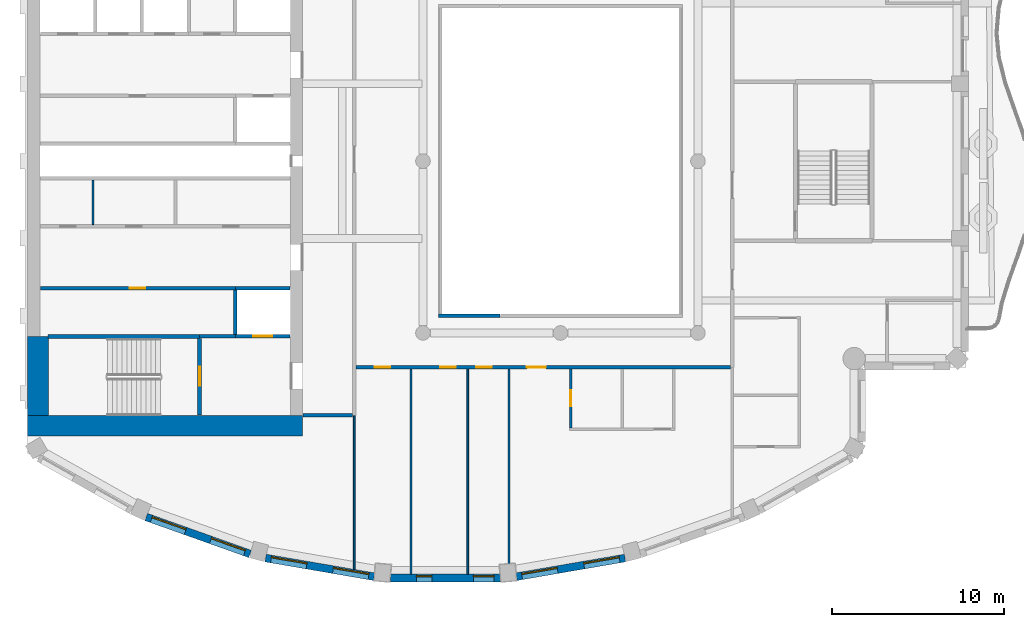
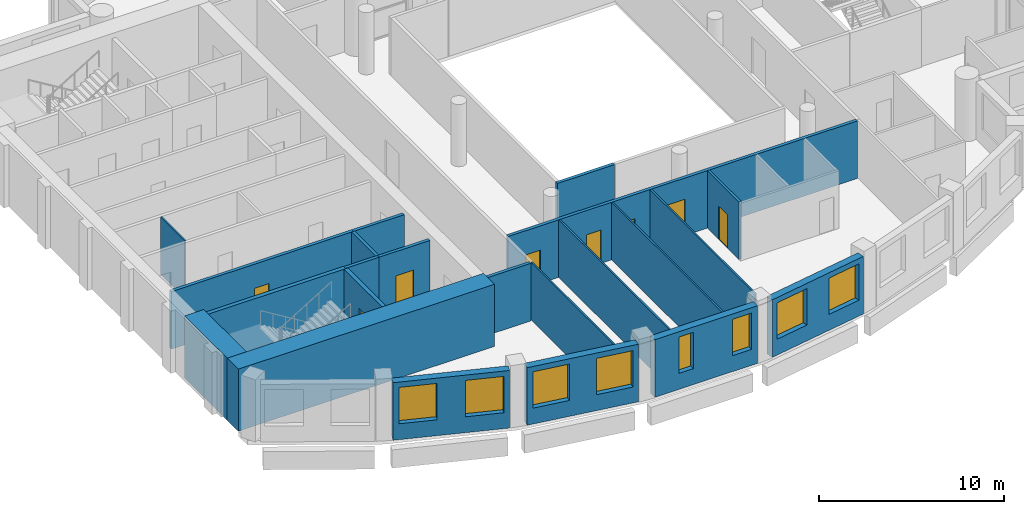
# One storey, part 4 of 14: 22 walls, 8 doors, 8 windows, 16 openings.
"""IFC4 building model written with IfcOpenShell, lengths in metres."""

from ifc_helpers import new_model, si_unit, direction, frame, frame_2d, origin, place, context, subcontext, project, spatial, rectangle, extrude, material, layer, layer_set, type_object, element, fill, save


model = new_model("IFC4")

# Units and contexts
model_context = context("Model", 3, precision=1e-05, world=origin(), true_north=direction((0.0, 1.0)))
body_context = subcontext(model_context, "Body", "Model", "MODEL_VIEW")
ifc_project = project(units=[si_unit("LENGTHUNIT", "METRE"), si_unit("AREAUNIT", "SQUARE_METRE"), si_unit("VOLUMEUNIT", "CUBIC_METRE"), si_unit("PLANEANGLEUNIT", "RADIAN"), si_unit("MASSUNIT", "GRAM", prefix="KILO")], contexts=[model_context])

# Site, building, storey
site_placement = place(None, origin())
site = spatial("IfcSite", under=ifc_project, at=site_placement, CompositionType="ELEMENT")
building_placement = place(site_placement, origin())
building = spatial("IfcBuilding", under=site, at=building_placement, Name="Cypress Arch Tower", CompositionType="ELEMENT")
storey_placement = place(building_placement, frame((0.0, 0.0, 284.39990234375)))
storey = spatial("IfcBuildingStorey", under=building, at=storey_placement, Name="L64", CompositionType="ELEMENT", Elevation=284.39990234375)

# Wall, openings, windows
ifc_material_1 = material(Name="Brick (red buff blend)", Category="masonry")
ifc_layer_1 = layer(ifc_material_1, 0.449951171875)
ifc_layer_set_1 = layer_set([ifc_layer_1], Name="Brick pier and spandrel wall BW450")
wall_type_1 = type_object("IfcWallType", Name="Brick pier and spandrel wall BW450", PredefinedType="SOLIDWALL", material=ifc_layer_set_1)
wall_1_placement = place(storey_placement, frame((-23.10498046875, -20.70947265625, 0.0), z_axis=(0.0, 0.0, 1.0), x_axis=(0.942104058931, -0.335320655711, 0.0)))
wall_1 = element("IfcWall", 1, at=wall_1_placement, inside=storey, type_object=wall_type_1, Name="Brick wall L64 C09.0", PredefinedType="SOLIDWALL", context=body_context, shape_type="SweptSolid", body=[
    extrude(rectangle(XDim=6.411376953125, YDim=0.449951171875, at=frame_2d((3.20556640625, 0.0))), origin(), (0.0, 0.0, 1.0), 3.800048828125),
])
opening_1_placement = place(wall_1_placement, frame((0.3271484375, 0.0, 1.050048828125)))
opening_1 = element("IfcOpeningElement", 2, at=opening_1_placement, cuts=wall_1, Name="Opening W210O", PredefinedType="OPENING", context=body_context, shape_type="SweptSolid", body=[
    extrude(rectangle(XDim=2.10009765625, YDim=2.39990234375, at=frame_2d((1.050048828125, 1.199951171875))), frame((0.0, 0.23486328125, 0.0), z_axis=(0.0, -1.0, 0.0), x_axis=(1.0, 0.0, 0.0)), (0.0, 0.0, 1.0), 0.469970703125),
])
opening_2_placement = place(wall_1_placement, frame((3.984619140625, 0.0, 1.050048828125)))
opening_2 = element("IfcOpeningElement", 3, at=opening_2_placement, cuts=wall_1, Name="Opening W210O", PredefinedType="OPENING", context=body_context, shape_type="SweptSolid", body=[
    extrude(rectangle(XDim=2.10009765625, YDim=2.39990234375, at=frame_2d((1.050048828125, 1.199951171875))), frame((0.0, 0.23486328125, 0.0), z_axis=(0.0, -1.0, 0.0), x_axis=(1.0, 0.0, 0.0)), (0.0, 0.0, 1.0), 0.469970703125),
])
ifc_material_2 = material(Name="Anodised aluminium, bronze finish, clear low-emissivity double glazing", Category="aluminium")
window_type_1 = type_object("IfcWindowType", Name="Window Office 2100x2400", PartitioningType="SINGLE_PANEL", PredefinedType="WINDOW", material=ifc_material_2)
window_1_placement = place(opening_1_placement, origin())
window_1 = element("IfcWindow", 4, at=window_1_placement, inside=storey, type_object=window_type_1, Name="Window L64 C09.0.1", OverallHeight=2.39990234375, OverallWidth=2.10009765625, PartitioningType="SINGLE_PANEL", PredefinedType="WINDOW", context=body_context, shape_type="SweptSolid", body=[
    extrude(rectangle(XDim=2.10009765625, YDim=2.39990234375, at=frame_2d((1.050048828125, 1.199951171875))), frame((0.0, 0.135009765625, 0.0), z_axis=(0.0, -1.0, 0.0), x_axis=(1.0, 0.0, 0.0)), (0.0, 0.0, 1.0), 0.06005859375),
])
fill(opening_1, window_1)
window_2_placement = place(opening_2_placement, origin())
window_2 = element("IfcWindow", 5, at=window_2_placement, inside=storey, type_object=window_type_1, Name="Window L64 C09.0.2", OverallHeight=2.39990234375, OverallWidth=2.10009765625, PartitioningType="SINGLE_PANEL", PredefinedType="WINDOW", context=body_context, shape_type="SweptSolid", body=[
    extrude(rectangle(XDim=2.10009765625, YDim=2.39990234375, at=frame_2d((1.050048828125, 1.199951171875))), frame((0.0, 0.135009765625, 0.0), z_axis=(0.0, -1.0, 0.0), x_axis=(1.0, 0.0, 0.0)), (0.0, 0.0, 1.0), 0.06005859375),
])
fill(opening_2, window_2)

wall_2_placement = place(storey_placement, frame((-16.15673828125, -23.09716796875, 0.0), z_axis=(0.0, 0.0, 1.0), x_axis=(0.985502073964, -0.169663379113, 0.0)))
wall_2 = element("IfcWall", 6, at=wall_2_placement, inside=storey, type_object=wall_type_1, Name="Brick wall L64 C10.0", PredefinedType="SOLIDWALL", context=body_context, shape_type="SweptSolid", body=[
    extrude(rectangle(XDim=6.412109375, YDim=0.449951171875, at=frame_2d((3.2060546875, 0.0))), origin(), (0.0, 0.0, 1.0), 3.800048828125),
])
opening_3_placement = place(wall_2_placement, frame((0.3271484375, 0.0, 1.050048828125)))
opening_3 = element("IfcOpeningElement", 7, at=opening_3_placement, cuts=wall_2, Name="Opening W210O", PredefinedType="OPENING", context=body_context, shape_type="SweptSolid", body=[
    extrude(rectangle(XDim=2.10009765625, YDim=2.39990234375, at=frame_2d((1.050048828125, 1.199951171875))), frame((0.0, 0.23486328125, 0.0), z_axis=(0.0, -1.0, 0.0), x_axis=(1.0, 0.0, 0.0)), (0.0, 0.0, 1.0), 0.469970703125),
])
opening_4_placement = place(wall_2_placement, frame((3.98486328125, 0.0, 1.050048828125)))
opening_4 = element("IfcOpeningElement", 8, at=opening_4_placement, cuts=wall_2, Name="Opening W210O", PredefinedType="OPENING", context=body_context, shape_type="SweptSolid", body=[
    extrude(rectangle(XDim=2.10009765625, YDim=2.39990234375, at=frame_2d((1.050048828125, 1.199951171875))), frame((0.0, 0.23486328125, 0.0), z_axis=(0.0, -1.0, 0.0), x_axis=(1.0, 0.0, 0.0)), (0.0, 0.0, 1.0), 0.469970703125),
])
window_3_placement = place(opening_3_placement, origin())
window_3 = element("IfcWindow", 9, at=window_3_placement, inside=storey, type_object=window_type_1, Name="Window L64 C10.0.1", OverallHeight=2.39990234375, OverallWidth=2.10009765625, PartitioningType="SINGLE_PANEL", PredefinedType="WINDOW", context=body_context, shape_type="SweptSolid", body=[
    extrude(rectangle(XDim=2.10009765625, YDim=2.39990234375, at=frame_2d((1.050048828125, 1.199951171875))), frame((0.0, 0.135009765625, 0.0), z_axis=(0.0, -1.0, 0.0), x_axis=(1.0, 0.0, 0.0)), (0.0, 0.0, 1.0), 0.06005859375),
])
fill(opening_3, window_3)
window_4_placement = place(opening_4_placement, origin())
window_4 = element("IfcWindow", 10, at=window_4_placement, inside=storey, type_object=window_type_1, Name="Window L64 C10.0.2", OverallHeight=2.39990234375, OverallWidth=2.10009765625, PartitioningType="SINGLE_PANEL", PredefinedType="WINDOW", context=body_context, shape_type="SweptSolid", body=[
    extrude(rectangle(XDim=2.10009765625, YDim=2.39990234375, at=frame_2d((1.050048828125, 1.199951171875))), frame((0.0, 0.135009765625, 0.0), z_axis=(0.0, -1.0, 0.0), x_axis=(1.0, 0.0, 0.0)), (0.0, 0.0, 1.0), 0.06005859375),
])
fill(opening_4, window_4)

wall_3_placement = place(storey_placement, frame((-8.90283203125, -24.264892578125, 0.0), z_axis=(0.0, 0.0, 1.0), x_axis=(1.0, 0.0, 0.0)))
wall_3 = element("IfcWall", 11, at=wall_3_placement, inside=storey, type_object=wall_type_1, Name="Brick wall L64 C11.0", PredefinedType="SOLIDWALL", context=body_context, shape_type="SweptSolid", body=[
    extrude(rectangle(XDim=6.405517578125, YDim=0.449951171875, at=frame_2d((3.20263671875, 0.0))), origin(), (0.0, 0.0, 1.0), 3.800048828125),
])
opening_5_placement = place(wall_3_placement, frame((1.51416015625, 0.0, 1.050048828125)))
opening_5 = element("IfcOpeningElement", 12, at=opening_5_placement, cuts=wall_3, Name="Opening W090O", PredefinedType="OPENING", context=body_context, shape_type="SweptSolid", body=[
    extrude(rectangle(XDim=0.89990234375, YDim=2.39990234375, at=frame_2d((0.449951171875, 1.199951171875))), frame((0.0, 0.23486328125, 0.0), z_axis=(0.0, -1.0, 0.0), x_axis=(1.0, 0.0, 0.0)), (0.0, 0.0, 1.0), 0.469970703125),
])
opening_6_placement = place(wall_3_placement, frame((4.84130859375, 0.0, 1.050048828125)))
opening_6 = element("IfcOpeningElement", 13, at=opening_6_placement, cuts=wall_3, Name="Opening W120O", PredefinedType="OPENING", context=body_context, shape_type="SweptSolid", body=[
    extrude(rectangle(XDim=1.199951171875, YDim=2.39990234375, at=frame_2d((0.60009765625, 1.199951171875))), frame((0.0, 0.23486328125, 0.0), z_axis=(0.0, -1.0, 0.0), x_axis=(1.0, 0.0, 0.0)), (0.0, 0.0, 1.0), 0.469970703125),
])
ifc_material_3 = material(Name="Anodised aluminium, bronze finish, clear low-emissivity double glazing", Category="aluminium")
window_type_2 = type_object("IfcWindowType", Name="Window Office 1200x2400", PartitioningType="SINGLE_PANEL", PredefinedType="WINDOW", material=ifc_material_3)
window_5_placement = place(opening_6_placement, origin())
window_5 = element("IfcWindow", 14, at=window_5_placement, inside=storey, type_object=window_type_2, Name="Window L64 C11.0.2", OverallHeight=2.39990234375, OverallWidth=1.199951171875, PartitioningType="SINGLE_PANEL", PredefinedType="WINDOW", context=body_context, shape_type="SweptSolid", body=[
    extrude(rectangle(XDim=1.199951171875, YDim=2.39990234375, at=frame_2d((0.60009765625, 1.199951171875))), frame((0.0, 0.135009765625, 0.0), z_axis=(0.0, -1.0, 0.0), x_axis=(1.0, 0.0, 0.0)), (0.0, 0.0, 1.0), 0.06005859375),
])
fill(opening_6, window_5)
ifc_material_4 = material(Name="Anodised aluminium, bronze finish, clear low-emissivity double glazing", Category="aluminium")
window_type_3 = type_object("IfcWindowType", Name="Window Office 900x2400", PartitioningType="SINGLE_PANEL", PredefinedType="WINDOW", material=ifc_material_4)
window_6_placement = place(opening_5_placement, origin())
window_6 = element("IfcWindow", 15, at=window_6_placement, inside=storey, type_object=window_type_3, Name="Window L64 C11.0.1", OverallHeight=2.39990234375, OverallWidth=0.89990234375, PartitioningType="SINGLE_PANEL", PredefinedType="WINDOW", context=body_context, shape_type="SweptSolid", body=[
    extrude(rectangle(XDim=0.89990234375, YDim=2.39990234375, at=frame_2d((0.449951171875, 1.199951171875))), frame((0.0, 0.135009765625, 0.0), z_axis=(0.0, -1.0, 0.0), x_axis=(1.0, 0.0, 0.0)), (0.0, 0.0, 1.0), 0.06005859375),
])
fill(opening_5, window_6)

wall_4_placement = place(storey_placement, frame((-1.562255859375, -24.18505859375, 0.0), z_axis=(0.0, 0.0, 1.0), x_axis=(0.985502073964, 0.169663379113, 0.0)))
wall_4 = element("IfcWall", 16, at=wall_4_placement, inside=storey, type_object=wall_type_1, Name="Brick wall L64 C12.0", PredefinedType="SOLIDWALL", context=body_context, shape_type="SweptSolid", body=[
    extrude(rectangle(XDim=6.412109375, YDim=0.449951171875, at=frame_2d((3.2060546875, 0.0))), origin(), (0.0, 0.0, 1.0), 3.800048828125),
])
opening_7_placement = place(wall_4_placement, frame((0.3271484375, 0.0, 1.050048828125)))
opening_7 = element("IfcOpeningElement", 17, at=opening_7_placement, cuts=wall_4, Name="Opening W210O", PredefinedType="OPENING", context=body_context, shape_type="SweptSolid", body=[
    extrude(rectangle(XDim=2.10009765625, YDim=2.39990234375, at=frame_2d((1.050048828125, 1.199951171875))), frame((0.0, 0.23486328125, 0.0), z_axis=(0.0, -1.0, 0.0), x_axis=(1.0, 0.0, 0.0)), (0.0, 0.0, 1.0), 0.469970703125),
])
opening_8_placement = place(wall_4_placement, frame((3.98486328125, 0.0, 1.050048828125)))
opening_8 = element("IfcOpeningElement", 18, at=opening_8_placement, cuts=wall_4, Name="Opening W210O", PredefinedType="OPENING", context=body_context, shape_type="SweptSolid", body=[
    extrude(rectangle(XDim=2.10009765625, YDim=2.39990234375, at=frame_2d((1.050048828125, 1.199951171875))), frame((0.0, 0.23486328125, 0.0), z_axis=(0.0, -1.0, 0.0), x_axis=(1.0, 0.0, 0.0)), (0.0, 0.0, 1.0), 0.469970703125),
])
window_7_placement = place(opening_7_placement, origin())
window_7 = element("IfcWindow", 19, at=window_7_placement, inside=storey, type_object=window_type_1, Name="Window L64 C12.0.1", OverallHeight=2.39990234375, OverallWidth=2.10009765625, PartitioningType="SINGLE_PANEL", PredefinedType="WINDOW", context=body_context, shape_type="SweptSolid", body=[
    extrude(rectangle(XDim=2.10009765625, YDim=2.39990234375, at=frame_2d((1.050048828125, 1.199951171875))), frame((0.0, 0.135009765625, 0.0), z_axis=(0.0, -1.0, 0.0), x_axis=(1.0, 0.0, 0.0)), (0.0, 0.0, 1.0), 0.06005859375),
])
fill(opening_7, window_7)
window_8_placement = place(opening_8_placement, origin())
window_8 = element("IfcWindow", 20, at=window_8_placement, inside=storey, type_object=window_type_1, Name="Window L64 C12.0.2", OverallHeight=2.39990234375, OverallWidth=2.10009765625, PartitioningType="SINGLE_PANEL", PredefinedType="WINDOW", context=body_context, shape_type="SweptSolid", body=[
    extrude(rectangle(XDim=2.10009765625, YDim=2.39990234375, at=frame_2d((1.050048828125, 1.199951171875))), frame((0.0, 0.135009765625, 0.0), z_axis=(0.0, -1.0, 0.0), x_axis=(1.0, 0.0, 0.0)), (0.0, 0.0, 1.0), 0.06005859375),
])
fill(opening_8, window_8)

# Walls
ifc_material_5 = material(Name="Concrete C60/75", Category="concrete")
ifc_layer_2 = layer(ifc_material_5, 1.199951171875)
ifc_layer_set_2 = layer_set([ifc_layer_2], Name="Core wall CW1200 C60/75")
wall_type_2 = type_object("IfcWallType", Name="Core wall CW1200 C60/75", PredefinedType="SHEAR", material=ifc_layer_set_2)
wall_5_placement = place(storey_placement, frame((-30.0, -15.39990234375, 0.0), z_axis=(0.0, 0.0, 1.0), x_axis=(1.0, 0.0, 0.0)))
element("IfcWall", 21, at=wall_5_placement, inside=storey, type_object=wall_type_2, Name="Core wall", PredefinedType="SHEAR", context=body_context, shape_type="SweptSolid", body=[
    extrude(rectangle(XDim=16.0, YDim=1.199951171875, at=frame_2d((8.0, 0.0))), origin(), (0.0, 0.0, 1.0), 4.10009765625),
])
wall_6_placement = place(storey_placement, frame((-29.39990234375, -14.800048828125, 0.0), z_axis=(0.0, 0.0, 1.0), x_axis=(0.0, 1.0, 0.0)))
element("IfcWall", 22, at=wall_6_placement, inside=storey, type_object=wall_type_2, Name="Core wall", PredefinedType="SHEAR", context=body_context, shape_type="SweptSolid", body=[
    extrude(rectangle(XDim=4.60009765625, YDim=1.199951171875, at=frame_2d((2.300048828125, 0.0))), origin(), (0.0, 0.0, 1.0), 4.10009765625),
])

# Wall, opening, door
ifc_material_6 = material(Name="Concrete blockwork, plastered, rated", Category="masonry")
ifc_layer_3 = layer(ifc_material_6, 0.199951171875)
ifc_layer_set_3 = layer_set([ifc_layer_3], Name="Corridor wall FW200")
wall_type_3 = type_object("IfcWallType", Name="Corridor wall FW200", PredefinedType="PARTITIONING", material=ifc_layer_set_3)
wall_7_placement = place(storey_placement, frame((-29.27001953125, -7.39990234375, 0.0), z_axis=(0.0, 0.0, 1.0), x_axis=(1.0, 0.0, 0.0)))
wall_7 = element("IfcWall", 23, at=wall_7_placement, inside=storey, type_object=wall_type_3, Name="Corridor wall", PredefinedType="PARTITIONING", context=body_context, shape_type="SweptSolid", body=[
    extrude(rectangle(XDim=11.3701171875, YDim=0.199951171875, at=frame_2d((5.68505859375, 0.0))), origin(), (0.0, 0.0, 1.0), 3.800048828125),
])
opening_9_placement = place(wall_7_placement, frame((5.199951171875, 0.0, 0.0)))
opening_9 = element("IfcOpeningElement", 24, at=opening_9_placement, cuts=wall_7, Name="Opening D05", PredefinedType="OPENING", context=body_context, shape_type="SweptSolid", body=[
    extrude(rectangle(XDim=0.89990234375, YDim=2.199951171875, at=frame_2d((0.449951171875, 1.10009765625))), frame((0.0, 0.10986328125, 0.0), z_axis=(0.0, -1.0, 0.0), x_axis=(1.0, 0.0, 0.0)), (0.0, 0.0, 1.0), 0.219970703125),
])
ifc_material_7 = material(Name="Timber flush door", Category="wood")
door_type_1 = type_object("IfcDoorType", Name="Service door D05 900x2200", OperationType="SINGLE_SWING_LEFT", PredefinedType="DOOR", material=ifc_material_7)
door_1_placement = place(opening_9_placement, origin())
door_1 = element("IfcDoor", 25, at=door_1_placement, inside=storey, type_object=door_type_1, Name="Service door", OperationType="SINGLE_SWING_RIGHT", OverallHeight=2.199951171875, OverallWidth=0.89990234375, PredefinedType="DOOR", context=body_context, shape_type="SweptSolid", body=[
    extrude(rectangle(XDim=0.89990234375, YDim=2.199951171875, at=frame_2d((0.449951171875, 1.10009765625))), frame((0.0, 0.02490234375, 0.0), z_axis=(0.0, -1.0, 0.0), x_axis=(1.0, 0.0, 0.0)), (0.0, 0.0, 1.0), 0.050048828125),
])
fill(opening_9, door_1)

# Walls
wall_8_placement = place(storey_placement, frame((-20.0, -10.199951171875, 0.0), z_axis=(0.0, 0.0, 1.0), x_axis=(1.0, 0.0, 0.0)))
element("IfcWall", 26, at=wall_8_placement, inside=storey, type_object=wall_type_3, Name="Corridor wall", PredefinedType="PARTITIONING", context=body_context, shape_type="SweptSolid", body=[
    extrude(rectangle(XDim=2.080078125, YDim=0.199951171875, at=frame_2d((1.0400390625, 0.0))), origin(), (0.0, 0.0, 1.0), 3.800048828125),
])
wall_9_placement = place(storey_placement, frame((-13.969970703125, -14.800048828125, 0.0), z_axis=(0.0, 0.0, 1.0), x_axis=(1.0, 0.0, 0.0)))
element("IfcWall", 27, at=wall_9_placement, inside=storey, type_object=wall_type_3, Name="Corridor wall", PredefinedType="PARTITIONING", context=body_context, shape_type="SweptSolid", body=[
    extrude(rectangle(XDim=2.869873046875, YDim=0.199951171875, at=frame_2d((1.43505859375, 0.0))), origin(), (0.0, 0.0, 1.0), 3.800048828125),
])

# Wall, openings, doors
wall_10_placement = place(storey_placement, frame((-10.89990234375, -12.0, 0.0), z_axis=(0.0, 0.0, 1.0), x_axis=(1.0, 0.0, 0.0)))
wall_10 = element("IfcWall", 28, at=wall_10_placement, inside=storey, type_object=wall_type_3, Name="Corridor wall", PredefinedType="PARTITIONING", context=body_context, shape_type="SweptSolid", body=[
    extrude(rectangle(XDim=21.7998046875, YDim=0.199951171875, at=frame_2d((10.89990234375, 0.0))), origin(), (0.0, 0.0, 1.0), 3.800048828125),
])
opening_10_placement = place(wall_10_placement, frame((1.10009765625, 0.0, 0.0)))
opening_10 = element("IfcOpeningElement", 29, at=opening_10_placement, cuts=wall_10, Name="Opening D03", PredefinedType="OPENING", context=body_context, shape_type="SweptSolid", body=[
    extrude(rectangle(XDim=0.89990234375, YDim=2.199951171875, at=frame_2d((0.449951171875, 1.10009765625))), frame((0.0, 0.10986328125, 0.0), z_axis=(0.0, -1.0, 0.0), x_axis=(1.0, 0.0, 0.0)), (0.0, 0.0, 1.0), 0.219970703125),
])
opening_11_placement = place(wall_10_placement, frame((4.89990234375, 0.0, 0.0)))
opening_11 = element("IfcOpeningElement", 30, at=opening_11_placement, cuts=wall_10, Name="Opening D03", PredefinedType="OPENING", context=body_context, shape_type="SweptSolid", body=[
    extrude(rectangle(XDim=0.89990234375, YDim=2.199951171875, at=frame_2d((0.449951171875, 1.10009765625))), frame((0.0, 0.10986328125, 0.0), z_axis=(0.0, -1.0, 0.0), x_axis=(1.0, 0.0, 0.0)), (0.0, 0.0, 1.0), 0.219970703125),
])
opening_12_placement = place(wall_10_placement, frame((7.0, 0.0, 0.0)))
opening_12 = element("IfcOpeningElement", 31, at=opening_12_placement, cuts=wall_10, Name="Opening D03", PredefinedType="OPENING", context=body_context, shape_type="SweptSolid", body=[
    extrude(rectangle(XDim=0.89990234375, YDim=2.199951171875, at=frame_2d((0.449951171875, 1.10009765625))), frame((0.0, 0.10986328125, 0.0), z_axis=(0.0, -1.0, 0.0), x_axis=(1.0, 0.0, 0.0)), (0.0, 0.0, 1.0), 0.219970703125),
])
opening_13_placement = place(wall_10_placement, frame((9.949951171875, 0.0, 0.0)))
opening_13 = element("IfcOpeningElement", 32, at=opening_13_placement, cuts=wall_10, Name="Opening D01", PredefinedType="OPENING", context=body_context, shape_type="SweptSolid", body=[
    extrude(rectangle(XDim=1.10009765625, YDim=2.39990234375, at=frame_2d((0.550048828125, 1.199951171875))), frame((0.0, 0.10986328125, 0.0), z_axis=(0.0, -1.0, 0.0), x_axis=(1.0, 0.0, 0.0)), (0.0, 0.0, 1.0), 0.219970703125),
])
ifc_material_8 = material(Name="Timber flush door, moisture resistant", Category="wood")
door_type_2 = type_object("IfcDoorType", Name="Bathroom door D03 900x2200", OperationType="SINGLE_SWING_LEFT", PredefinedType="DOOR", material=ifc_material_8)
door_2_placement = place(opening_10_placement, origin())
door_2 = element("IfcDoor", 33, at=door_2_placement, inside=storey, type_object=door_type_2, Name="Bathroom door", OperationType="SINGLE_SWING_RIGHT", OverallHeight=2.199951171875, OverallWidth=0.89990234375, PredefinedType="DOOR", context=body_context, shape_type="SweptSolid", body=[
    extrude(rectangle(XDim=0.89990234375, YDim=2.199951171875, at=frame_2d((0.449951171875, 1.10009765625))), frame((0.0, 0.02490234375, 0.0), z_axis=(0.0, -1.0, 0.0), x_axis=(1.0, 0.0, 0.0)), (0.0, 0.0, 1.0), 0.050048828125),
])
fill(opening_10, door_2)
door_3_placement = place(opening_11_placement, origin())
door_3 = element("IfcDoor", 34, at=door_3_placement, inside=storey, type_object=door_type_2, Name="Bathroom door", OperationType="SINGLE_SWING_LEFT", OverallHeight=2.199951171875, OverallWidth=0.89990234375, PredefinedType="DOOR", context=body_context, shape_type="SweptSolid", body=[
    extrude(rectangle(XDim=0.89990234375, YDim=2.199951171875, at=frame_2d((0.449951171875, 1.10009765625))), frame((0.0, 0.02490234375, 0.0), z_axis=(0.0, -1.0, 0.0), x_axis=(1.0, 0.0, 0.0)), (0.0, 0.0, 1.0), 0.050048828125),
])
fill(opening_11, door_3)
door_4_placement = place(opening_12_placement, origin())
door_4 = element("IfcDoor", 35, at=door_4_placement, inside=storey, type_object=door_type_2, Name="Bathroom door", OperationType="SINGLE_SWING_RIGHT", OverallHeight=2.199951171875, OverallWidth=0.89990234375, PredefinedType="DOOR", context=body_context, shape_type="SweptSolid", body=[
    extrude(rectangle(XDim=0.89990234375, YDim=2.199951171875, at=frame_2d((0.449951171875, 1.10009765625))), frame((0.0, 0.02490234375, 0.0), z_axis=(0.0, -1.0, 0.0), x_axis=(1.0, 0.0, 0.0)), (0.0, 0.0, 1.0), 0.050048828125),
])
fill(opening_12, door_4)
ifc_material_9 = material(Name="Timber flush door, fire resisting, self-closing", Category="wood")
door_type_3 = type_object("IfcDoorType", Name="Unit entrance door D01 1100x2400", OperationType="SINGLE_SWING_LEFT", PredefinedType="DOOR", material=ifc_material_9)
door_5_placement = place(opening_13_placement, origin())
door_5 = element("IfcDoor", 36, at=door_5_placement, inside=storey, type_object=door_type_3, Name="Unit entrance door", OperationType="SINGLE_SWING_RIGHT", OverallHeight=2.39990234375, OverallWidth=1.10009765625, PredefinedType="DOOR", context=body_context, shape_type="SweptSolid", body=[
    extrude(rectangle(XDim=1.10009765625, YDim=2.39990234375, at=frame_2d((0.550048828125, 1.199951171875))), frame((0.0, 0.02490234375, 0.0), z_axis=(0.0, -1.0, 0.0), x_axis=(1.0, 0.0, 0.0)), (0.0, 0.0, 1.0), 0.050048828125),
])
fill(opening_13, door_5)

# Wall
wall_11_placement = place(storey_placement, frame((-6.10009765625, -9.0, 0.0), z_axis=(0.0, 0.0, 1.0), x_axis=(1.0, 0.0, 0.0)))
element("IfcWall", 37, at=wall_11_placement, inside=storey, type_object=wall_type_3, Name="Corridor wall", PredefinedType="PARTITIONING", context=body_context, shape_type="SweptSolid", body=[
    extrude(rectangle(XDim=3.580078125, YDim=0.199951171875, at=frame_2d((1.7900390625, 0.0))), origin(), (0.0, 0.0, 1.0), 3.800048828125),
])

# Wall, opening, door
ifc_material_10 = material(Name="Blockwork, plastered both sides", Category="masonry")
ifc_layer_4 = layer(ifc_material_10, 0.14990234375)
ifc_layer_set_4 = layer_set([ifc_layer_4], Name="Partition PW150")
wall_type_4 = type_object("IfcWallType", Name="Partition PW150", PredefinedType="PARTITIONING", material=ifc_layer_set_4)
wall_12_placement = place(storey_placement, frame((1.60107421875, -15.52490234375, 0.0), z_axis=(0.0, 0.0, 1.0), x_axis=(0.0, 1.0, 0.0)))
wall_12 = element("IfcWall", 38, at=wall_12_placement, inside=storey, type_object=wall_type_4, Name="Partition", PredefinedType="PARTITIONING", context=body_context, shape_type="SweptSolid", body=[
    extrude(rectangle(XDim=3.4248046875, YDim=0.14990234375, at=frame_2d((1.71240234375, 0.0))), origin(), (0.0, 0.0, 1.0), 3.800048828125),
])
opening_14_placement = place(wall_12_placement, frame((1.25, 0.0, 0.0)))
opening_14 = element("IfcOpeningElement", 39, at=opening_14_placement, cuts=wall_12, Name="Opening D12", PredefinedType="OPENING", context=body_context, shape_type="SweptSolid", body=[
    extrude(rectangle(XDim=0.949951171875, YDim=2.199951171875, at=frame_2d((0.47509765625, 1.10009765625))), frame((0.0, 0.0849609375, 0.0), z_axis=(0.0, -1.0, 0.0), x_axis=(1.0, 0.0, 0.0)), (0.0, 0.0, 1.0), 0.169921875),
])
ifc_material_11 = material(Name="Timber flush door", Category="wood")
door_type_4 = type_object("IfcDoorType", Name="Room door D12 950x2200", OperationType="SINGLE_SWING_LEFT", PredefinedType="DOOR", material=ifc_material_11)
door_6_placement = place(opening_14_placement, origin())
door_6 = element("IfcDoor", 40, at=door_6_placement, inside=storey, type_object=door_type_4, Name="Room door", OperationType="SINGLE_SWING_RIGHT", OverallHeight=2.199951171875, OverallWidth=0.949951171875, PredefinedType="DOOR", context=body_context, shape_type="SweptSolid", body=[
    extrude(rectangle(XDim=0.949951171875, YDim=2.199951171875, at=frame_2d((0.47509765625, 1.10009765625))), frame((0.0, 0.02490234375, 0.0), z_axis=(0.0, -1.0, 0.0), x_axis=(1.0, 0.0, 0.0)), (0.0, 0.0, 1.0), 0.050048828125),
])
fill(opening_14, door_6)

# Wall
ifc_material_12 = material(Name="Concrete C50/60", Category="concrete")
ifc_layer_5 = layer(ifc_material_12, 0.199951171875)
ifc_layer_set_5 = layer_set([ifc_layer_5], Name="Shaft wall SH200")
wall_type_5 = type_object("IfcWallType", Name="Shaft wall SH200", PredefinedType="SHEAR", material=ifc_layer_set_5)
wall_13_placement = place(storey_placement, frame((-17.919921875, -10.10009765625, 0.0), z_axis=(0.0, 0.0, 1.0), x_axis=(0.0, 1.0, 0.0)))
element("IfcWall", 41, at=wall_13_placement, inside=storey, type_object=wall_type_5, Name="Shaft wall", PredefinedType="SHEAR", context=body_context, shape_type="SweptSolid", body=[
    extrude(rectangle(XDim=2.60009765625, YDim=0.199951171875, at=frame_2d((1.300048828125, 0.0))), origin(), (0.0, 0.0, 1.0), 3.800048828125),
])

# Wall, opening, door
wall_14_placement = place(storey_placement, frame((-17.919921875, -10.199951171875, 0.0), z_axis=(0.0, 0.0, 1.0), x_axis=(1.0, 0.0, 0.0)))
wall_14 = element("IfcWall", 42, at=wall_14_placement, inside=storey, type_object=wall_type_5, Name="Shaft wall", PredefinedType="SHEAR", context=body_context, shape_type="SweptSolid", body=[
    extrude(rectangle(XDim=3.18994140625, YDim=0.199951171875, at=frame_2d((1.594970703125, 0.0))), origin(), (0.0, 0.0, 1.0), 3.800048828125),
])
opening_15_placement = place(wall_14_placement, frame((1.050048828125, 0.0, 0.0)))
opening_15 = element("IfcOpeningElement", 43, at=opening_15_placement, cuts=wall_14, Name="Opening LD-FL1", PredefinedType="OPENING", context=body_context, shape_type="SweptSolid", body=[
    extrude(rectangle(XDim=1.10009765625, YDim=2.199951171875, at=frame_2d((0.550048828125, 1.10009765625))), frame((0.0, 0.10986328125, 0.0), z_axis=(0.0, -1.0, 0.0), x_axis=(1.0, 0.0, 0.0)), (0.0, 0.0, 1.0), 0.219970703125),
])
ifc_material_13 = material(Name="Stainless steel centre-opening landing door, rated", Category="steel")
door_type_5 = type_object("IfcDoorType", Name="Lift landing door LD 1100x2200", OperationType="DOUBLE_DOOR_SLIDING", PredefinedType="DOOR", material=ifc_material_13)
door_7_placement = place(opening_15_placement, origin())
door_7 = element("IfcDoor", 44, at=door_7_placement, inside=storey, type_object=door_type_5, Name="Lift landing doors FL1", OperationType="DOUBLE_DOOR_SLIDING", OverallHeight=2.199951171875, OverallWidth=1.10009765625, PredefinedType="DOOR", context=body_context, shape_type="SweptSolid", body=[
    extrude(rectangle(XDim=1.10009765625, YDim=2.199951171875, at=frame_2d((0.550048828125, 1.10009765625))), frame((0.0, 0.02490234375, 0.0), z_axis=(0.0, -1.0, 0.0), x_axis=(1.0, 0.0, 0.0)), (0.0, 0.0, 1.0), 0.050048828125),
])
fill(opening_15, door_7)

# Walls
wall_15_placement = place(storey_placement, frame((-17.89990234375, -7.39990234375, 0.0), z_axis=(0.0, 0.0, 1.0), x_axis=(1.0, 0.0, 0.0)))
element("IfcWall", 45, at=wall_15_placement, inside=storey, type_object=wall_type_5, Name="Shaft wall", PredefinedType="SHEAR", context=body_context, shape_type="SweptSolid", body=[
    extrude(rectangle(XDim=3.169921875, YDim=0.199951171875, at=frame_2d((1.5849609375, 0.0))), origin(), (0.0, 0.0, 1.0), 3.800048828125),
])
ifc_material_14 = material(Name="Concrete C50/60", Category="concrete")
ifc_layer_6 = layer(ifc_material_14, 0.25)
ifc_layer_set_6 = layer_set([ifc_layer_6], Name="Stair enclosure wall SW250")
wall_type_6 = type_object("IfcWallType", Name="Stair enclosure wall SW250", PredefinedType="SHEAR", material=ifc_layer_set_6)
wall_16_placement = place(storey_placement, frame((-28.81005859375, -10.199951171875, 0.0), z_axis=(0.0, 0.0, 1.0), x_axis=(1.0, 0.0, 0.0)))
element("IfcWall", 46, at=wall_16_placement, inside=storey, type_object=wall_type_6, Name="Stair enclosure wall", PredefinedType="SHEAR", context=body_context, shape_type="SweptSolid", body=[
    extrude(rectangle(XDim=8.81005859375, YDim=0.25, at=frame_2d((4.405029296875, 0.0))), origin(), (0.0, 0.0, 1.0), 3.800048828125),
])

# Wall, opening, door
wall_17_placement = place(storey_placement, frame((-20.0, -14.77001953125, 0.0), z_axis=(0.0, 0.0, 1.0), x_axis=(0.0, 1.0, 0.0)))
wall_17 = element("IfcWall", 47, at=wall_17_placement, inside=storey, type_object=wall_type_6, Name="Stair enclosure wall", PredefinedType="SHEAR", context=body_context, shape_type="SweptSolid", body=[
    extrude(rectangle(XDim=4.445068359375, YDim=0.25, at=frame_2d((2.22265625, 0.0))), origin(), (0.0, 0.0, 1.0), 3.800048828125),
])
opening_16_placement = place(wall_17_placement, frame((1.699951171875, 0.0, 0.0)))
opening_16 = element("IfcOpeningElement", 48, at=opening_16_placement, cuts=wall_17, Name="Opening D06", PredefinedType="OPENING", context=body_context, shape_type="SweptSolid", body=[
    extrude(rectangle(XDim=1.10009765625, YDim=2.199951171875, at=frame_2d((0.550048828125, 1.10009765625))), frame((0.0, 0.135009765625, 0.0), z_axis=(0.0, -1.0, 0.0), x_axis=(1.0, 0.0, 0.0)), (0.0, 0.0, 1.0), 0.27001953125),
])
ifc_material_15 = material(Name="Steel door, fire resisting, panic bar", Category="steel")
door_type_6 = type_object("IfcDoorType", Name="Stair door D06 1100x2200", OperationType="SINGLE_SWING_LEFT", PredefinedType="DOOR", material=ifc_material_15)
door_8_placement = place(opening_16_placement, origin())
door_8 = element("IfcDoor", 49, at=door_8_placement, inside=storey, type_object=door_type_6, Name="Stair door", OperationType="SINGLE_SWING_RIGHT", OverallHeight=2.199951171875, OverallWidth=1.10009765625, PredefinedType="DOOR", context=body_context, shape_type="SweptSolid", body=[
    extrude(rectangle(XDim=1.10009765625, YDim=2.199951171875, at=frame_2d((0.550048828125, 1.10009765625))), frame((0.0, 0.02490234375, 0.0), z_axis=(0.0, -1.0, 0.0), x_axis=(1.0, 0.0, 0.0)), (0.0, 0.0, 1.0), 0.050048828125),
])
fill(opening_16, door_8)

# Walls
ifc_material_16 = material(Name="Moisture resistant board on steel studs, tiled", Category="steel")
ifc_layer_7 = layer(ifc_material_16, 0.10009765625)
ifc_layer_set_7 = layer_set([ifc_layer_7], Name="Wet wall PW100")
wall_type_7 = type_object("IfcWallType", Name="Wet wall PW100", PredefinedType="PARTITIONING", material=ifc_layer_set_7)
wall_18_placement = place(storey_placement, frame((-26.199951171875, -3.699951171875, 0.0), z_axis=(0.0, 0.0, 1.0), x_axis=(0.0, 1.0, 0.0)))
element("IfcWall", 50, at=wall_18_placement, inside=storey, type_object=wall_type_7, Name="Wet wall", PredefinedType="PARTITIONING", context=body_context, shape_type="SweptSolid", body=[
    extrude(rectangle(XDim=2.599853515625, YDim=0.10009765625, at=frame_2d((1.2998046875, 0.0))), origin(), (0.0, 0.0, 1.0), 3.800048828125),
])
wall_19_placement = place(storey_placement, frame((-11.0, -23.756591796875, 0.0), z_axis=(0.0, 0.0, 1.0), x_axis=(0.0, 1.0, 0.0)))
element("IfcWall", 51, at=wall_19_placement, inside=storey, type_object=wall_type_7, Name="Wet wall", PredefinedType="PARTITIONING", context=body_context, shape_type="SweptSolid", body=[
    extrude(rectangle(XDim=8.9365234375, YDim=0.10009765625, at=frame_2d((4.46826171875, 0.0))), origin(), (0.0, 0.0, 1.0), 3.800048828125),
])
for number, where, z_axis, x_axis, name in (
    (52, (-7.699951171875, -24.0400390625, 0.0), (0.0, 0.0, 1.0), (0.0, 1.0, 0.0), "Wet wall"),
    (53, (-4.39990234375, -24.0400390625, 0.0), (0.0, 0.0, 1.0), (0.0, 1.0, 0.0), "Wet wall"),
):
    element("IfcWall", number, at=place(storey_placement, frame(where, z_axis=z_axis, x_axis=x_axis)), inside=storey, type_object=wall_type_7, Name=name, PredefinedType="PARTITIONING", context=body_context, shape_type="SweptSolid", body=[
        extrude(rectangle(XDim=11.93994140625, YDim=0.10009765625, at=frame_2d((5.969970703125, 0.0))), origin(), (0.0, 0.0, 1.0), 3.800048828125),
    ])
wall_20_placement = place(storey_placement, frame((-2.0, -23.447265625, 0.0), z_axis=(0.0, 0.0, 1.0), x_axis=(0.0, 1.0, 0.0)))
element("IfcWall", 54, at=wall_20_placement, inside=storey, type_object=wall_type_7, Name="Wet wall", PredefinedType="PARTITIONING", context=body_context, shape_type="SweptSolid", body=[
    extrude(rectangle(XDim=11.34716796875, YDim=0.10009765625, at=frame_2d((5.673583984375, 0.0))), origin(), (0.0, 0.0, 1.0), 3.800048828125),
])

save(model, "model.ifc")
